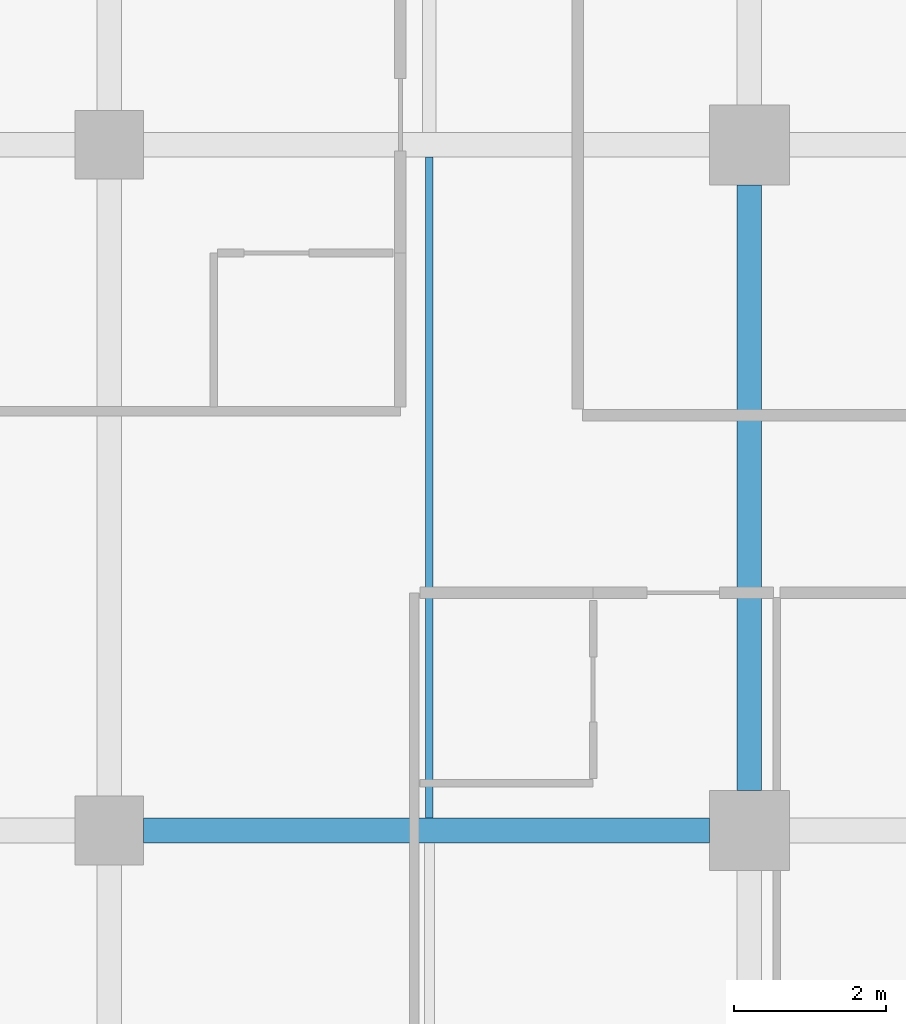
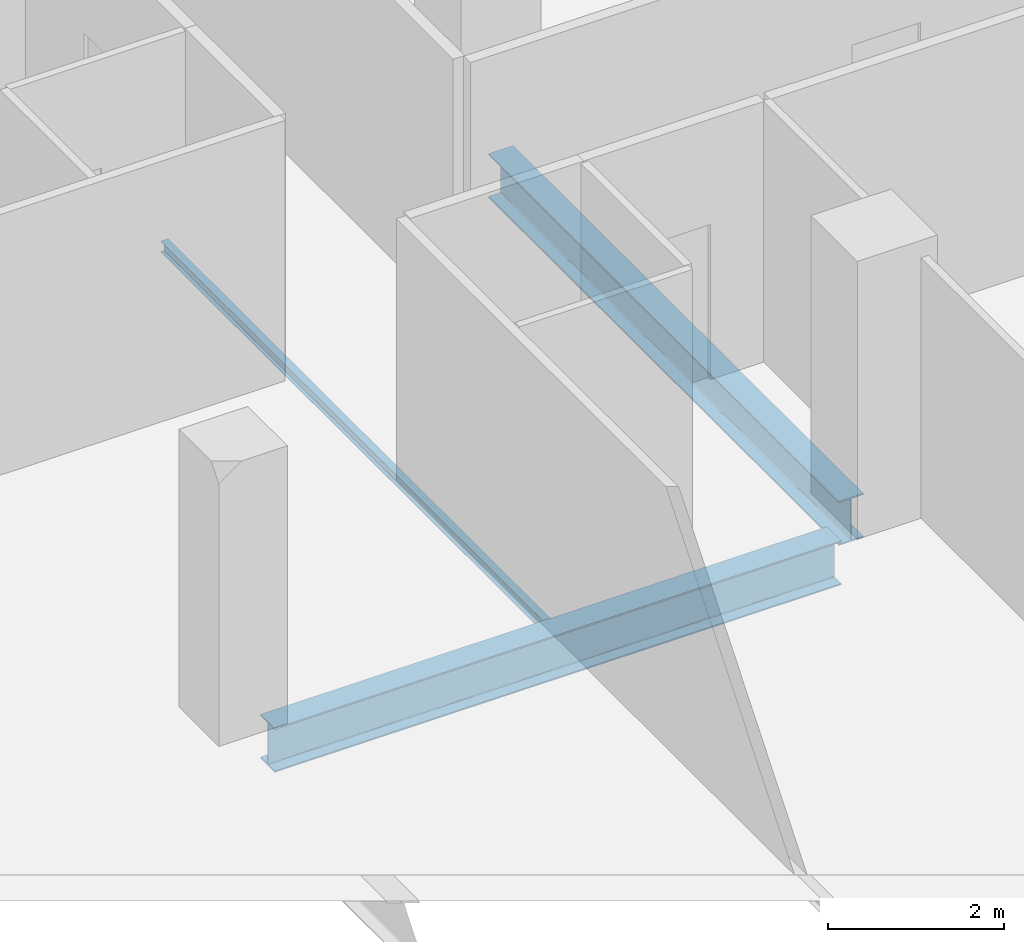
# One storey, part 6 of 40: 3 beams.
"""IFC4 building model written with IfcOpenShell, lengths in metres."""

from ifc_helpers import new_model, si_unit, direction, frame, origin, origin_2d, place, context, subcontext, project, spatial, i_section, extrude, material, material_profile, profile_set, type_object, element, save


model = new_model("IFC4")

# Units and contexts
model_context = context("Model", 3, precision=1e-05, world=origin(), true_north=direction((0.0, 1.0)))
body_context = subcontext(model_context, "Body", "Model", "MODEL_VIEW")
ifc_project = project(units=[si_unit("LENGTHUNIT", "METRE"), si_unit("AREAUNIT", "SQUARE_METRE"), si_unit("VOLUMEUNIT", "CUBIC_METRE"), si_unit("PLANEANGLEUNIT", "RADIAN"), si_unit("MASSUNIT", "GRAM", prefix="KILO")], contexts=[model_context])

# Site, building, storey
site_placement = place(None, origin())
site = spatial("IfcSite", under=ifc_project, at=site_placement, CompositionType="ELEMENT")
building_placement = place(site_placement, origin())
building = spatial("IfcBuilding", under=site, at=building_placement, Name="Maruvema Waterfront Hotel and Observation Tower", CompositionType="ELEMENT")
storey_placement = place(building_placement, frame((0.0, 0.0, 96.25)))
storey = spatial("IfcBuildingStorey", under=building, at=storey_placement, Name="L23", CompositionType="ELEMENT", Elevation=96.25)

# Beams
ifc_material_1 = material(Name="Steel ASTM A572 Grade 50", Category="steel")
ifc_material_profile_1 = material_profile(ifc_material_1, i_section(OverallWidth=0.323974609375, OverallDepth=0.611083984375, WebThickness=0.0126953125, FlangeThickness=0.01904296875, FilletRadius=0.01806640625, at=origin_2d()), Name="W610x155.0")
ifc_profile_set_1 = profile_set([ifc_material_profile_1], Name="Steel ASTM A572 Grade 50")
beam_type_1 = type_object("IfcBeamType", Name="Primary Floor Girder W610x155.0", PredefinedType="BEAM", material=ifc_profile_set_1)
beam_1_placement = place(storey_placement, frame((17.25, 9.0, -0.54541015625), z_axis=(1.0, 0.0, 0.0), x_axis=(0.0, 1.0, 0.0)))
element("IfcBeam", 1, at=beam_1_placement, inside=storey, type_object=beam_type_1, Name="L23 Floor Girder EW-07", PredefinedType="BEAM", context=body_context, shape_type="SweptSolid", body=[
    extrude(i_section(OverallWidth=0.323974609375, OverallDepth=0.611083984375, WebThickness=0.0126953125, FlangeThickness=0.01904296875, FilletRadius=0.01806640625, at=origin_2d()), origin(), (0.0, 0.0, 1.0), 7.425048828125),
])
beam_2_placement = place(storey_placement, frame((25.199951171875, 9.52490234375, -0.54541015625), z_axis=(0.0, 1.0, 0.0), x_axis=(-1.0, 0.0, 0.0)))
element("IfcBeam", 2, at=beam_2_placement, inside=storey, type_object=beam_type_1, Name="L23 Floor Girder NS-12", PredefinedType="BEAM", context=body_context, shape_type="SweptSolid", body=[
    extrude(i_section(OverallWidth=0.323974609375, OverallDepth=0.611083984375, WebThickness=0.0126953125, FlangeThickness=0.01904296875, FilletRadius=0.01806640625, at=origin_2d()), origin(), (0.0, 0.0, 1.0), 7.9501953125),
])
ifc_material_2 = material(Name="Steel ASTM A572 Grade 50", Category="steel")
ifc_material_profile_2 = material_profile(ifc_material_2, i_section(OverallWidth=0.10009765625, OverallDepth=0.153076171875, WebThickness=0.005859375, FlangeThickness=0.007080078125, FilletRadius=0.008056640625, at=origin_2d()), Name="W150x18.0")
ifc_profile_set_2 = profile_set([ifc_material_profile_2], Name="Steel ASTM A572 Grade 50")
beam_type_2 = type_object("IfcBeamType", Name="Secondary Floor Joist W150x18.0", PredefinedType="JOIST", material=ifc_profile_set_2)
beam_3_placement = place(storey_placement, frame((21.0, 9.162109375, -0.31640625), z_axis=(0.0, 1.0, 0.0), x_axis=(-1.0, 0.0, 0.0)))
element("IfcBeam", 3, at=beam_3_placement, inside=storey, type_object=beam_type_2, Name="L23 Secondary Floor Joist JS-06", PredefinedType="JOIST", context=body_context, shape_type="SweptSolid", body=[
    extrude(i_section(OverallWidth=0.10009765625, OverallDepth=0.153076171875, WebThickness=0.005859375, FlangeThickness=0.007080078125, FilletRadius=0.008056640625, at=origin_2d()), origin(), (0.0, 0.0, 1.0), 8.67578125),
])

save(model, "model.ifc")
